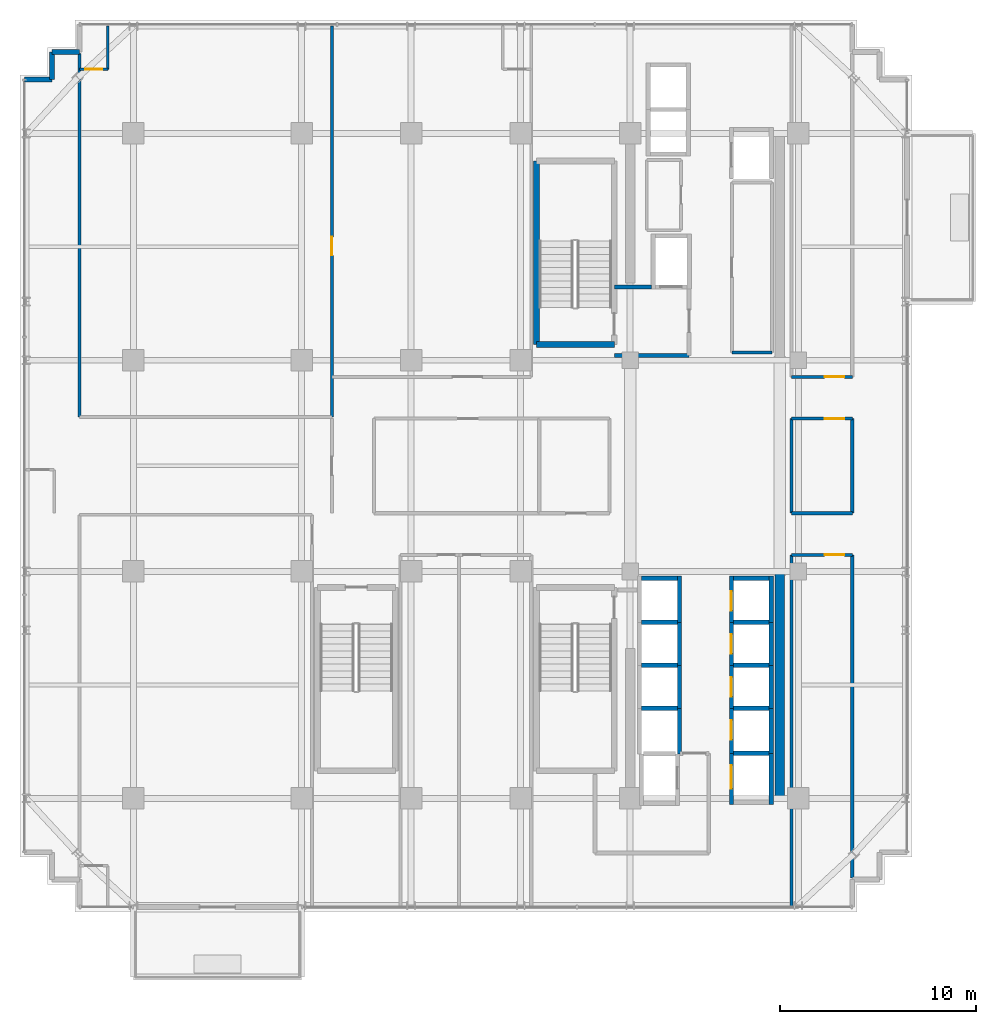
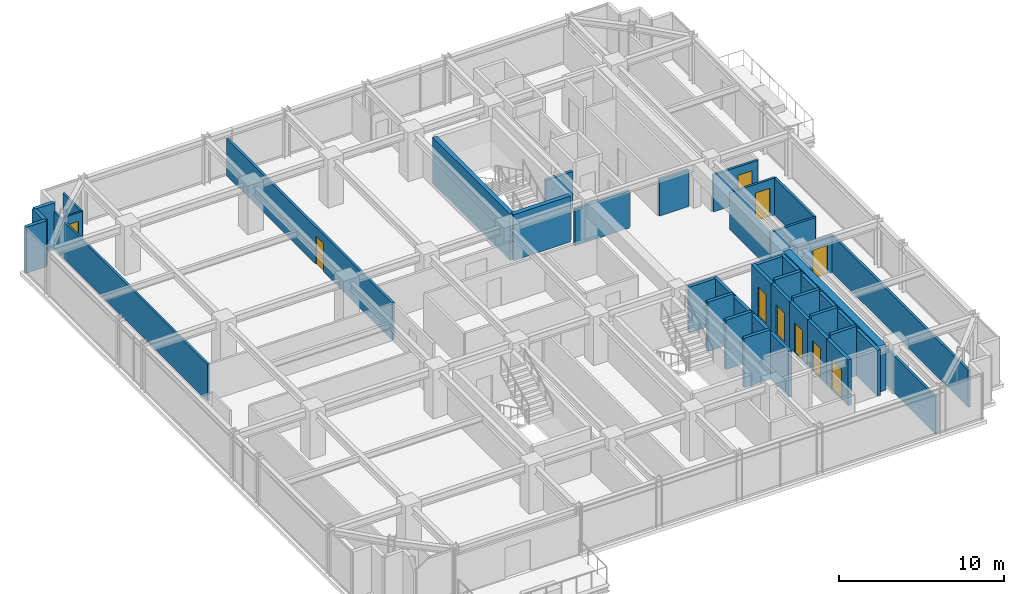
# One storey, part 26 of 31: 44 walls, 10 doors, 10 openings.
"""IFC4 building model written with IfcOpenShell, lengths in metres."""

from ifc_helpers import new_model, si_unit, direction, frame, frame_2d, origin, place, context, subcontext, project, spatial, rectangle, extrude, source, transform, mapped, material, layer, layer_set, type_object, element, fill, save


model = new_model("IFC4")

# Units and contexts
model_context = context("Model", 3, precision=1e-05, world=origin(), true_north=direction((0.0, 1.0)))
body_context = subcontext(model_context, "Body", "Model", "MODEL_VIEW")
ifc_project = project(units=[si_unit("LENGTHUNIT", "METRE"), si_unit("AREAUNIT", "SQUARE_METRE"), si_unit("VOLUMEUNIT", "CUBIC_METRE"), si_unit("PLANEANGLEUNIT", "RADIAN"), si_unit("MASSUNIT", "GRAM", prefix="KILO")], contexts=[model_context])

# Site, building, storey
site_placement = place(None, origin())
site = spatial("IfcSite", under=ifc_project, at=site_placement, CompositionType="ELEMENT")
building_placement = place(site_placement, origin())
building = spatial("IfcBuilding", under=site, at=building_placement, Name="Nahalor Promenade Grand Hotel", CompositionType="ELEMENT")
storey_placement = place(building_placement, frame((0.0, 0.0, 192.800048828125)))
storey = spatial("IfcBuildingStorey", under=building, at=storey_placement, Name="L49", CompositionType="ELEMENT", Elevation=192.800048828125)

# Walls
ifc_material_1 = material(Name="Concrete B-60 (C50/60)", Category="concrete")
ifc_layer_1 = layer(ifc_material_1, 0.5)
ifc_layer_set_1 = layer_set([ifc_layer_1], Name="Concrete B-60 (C50/60)")
wall_type_1 = type_object("IfcWallType", Name="Wall-CoreShear-500", PredefinedType="SHEAR", material=ifc_layer_set_1)
shared_shape_1 = source(origin(), body_context, "Body", "SweptSolid", [
    extrude(rectangle(XDim=11.60009765625, YDim=0.5, at=frame_2d((5.800048828125, 0.0))), origin(), (0.0, 0.0, 1.0), 3.389892578125),
])
wall_1_placement = place(storey_placement, frame((16.050048828125, -17.0, 0.0), z_axis=(0.0, 0.0, 1.0), x_axis=(0.0, 1.0, 0.0)))
element("IfcWall", 1, at=wall_1_placement, inside=storey, type_object=wall_type_1, Name="CWALL-L49-SE", PredefinedType="SHEAR", context=body_context, shape_type="MappedRepresentation", body=[
    mapped(shared_shape_1, transform((0.0, 0.0, 0.0), scale=1.0)),
])
ifc_material_2 = material(Name="Concrete B-50 (C40/50)", Category="concrete")
ifc_layer_2 = layer(ifc_material_2, 0.300048828125)
ifc_layer_set_2 = layer_set([ifc_layer_2], Name="Concrete B-50 (C40/50)")
wall_type_2 = type_object("IfcWallType", Name="Wall-ShaftShear-300", PredefinedType="SHEAR", material=ifc_layer_set_2)
shared_shape_2 = source(origin(), body_context, "Body", "SweptSolid", [
    extrude(rectangle(XDim=3.97998046875, YDim=0.300048828125, at=frame_2d((1.989990234375, 0.0))), origin(), (0.0, 0.0, 1.0), 3.389892578125),
])
wall_2_placement = place(storey_placement, frame((3.610107421875, 6.2099609375, 0.0), z_axis=(0.0, 0.0, 1.0), x_axis=(1.0, 0.0, 0.0)))
element("IfcWall", 2, at=wall_2_placement, inside=storey, type_object=wall_type_2, Name="L49 Exit Stair ST1 Shaft Wall S", PredefinedType="SHEAR", context=body_context, shape_type="MappedRepresentation", body=[
    mapped(shared_shape_2, transform((0.0, 0.0, 0.0), scale=1.0)),
])
shared_shape_3 = source(origin(), body_context, "Body", "SweptSolid", [
    extrude(rectangle(XDim=9.380126953125, YDim=0.300048828125, at=frame_2d((4.68994140625, 0.0))), origin(), (0.0, 0.0, 1.0), 3.389892578125),
])
wall_3_placement = place(storey_placement, frame((3.610107421875, 6.2099609375, 0.0), z_axis=(0.0, 0.0, 1.0), x_axis=(0.0, 1.0, 0.0)))
element("IfcWall", 3, at=wall_3_placement, inside=storey, type_object=wall_type_2, Name="L49 Exit Stair ST1 Shaft Wall W", PredefinedType="SHEAR", context=body_context, shape_type="MappedRepresentation", body=[
    mapped(shared_shape_3, transform((0.0, 0.0, 0.0), scale=1.0)),
])
ifc_layer_3 = layer(ifc_material_2, 0.219970703125)
ifc_layer_set_3 = layer_set([ifc_layer_3], Name="Concrete B-50 (C40/50)")
wall_type_3 = type_object("IfcWallType", Name="Wall-LiftShaft-220", PredefinedType="SHEAR", material=ifc_layer_set_3)
shared_shape_4 = source(origin(), body_context, "Body", "SweptSolid", [
    extrude(rectangle(XDim=1.820068359375, YDim=0.219970703125, at=frame_2d((0.91015625, 0.0))), origin(), (0.0, 0.0, 1.0), 3.64990234375),
])
for number, where, z_axis, x_axis, name in (
    (4, (13.68994140625, -8.0, 0.0), (0.0, 0.0, 1.0), (1.0, 0.0, 0.0), "L49 Lift PL6 Hoistway Wall N"),
    (5, (13.68994140625, -10.199951171875, 0.0), (0.0, 0.0, 1.0), (1.0, 0.0, 0.0), "L49 Lift PL7 Hoistway Wall N"),
    (6, (13.68994140625, -12.39990234375, 0.0), (0.0, 0.0, 1.0), (1.0, 0.0, 0.0), "L49 Lift PL8 Hoistway Wall N"),
    (7, (8.989990234375, -8.0, 0.0), (0.0, 0.0, 1.0), (1.0, 0.0, 0.0), "L49 Lift PL10 Hoistway Wall N"),
    (8, (8.989990234375, -10.199951171875, 0.0), (0.0, 0.0, 1.0), (1.0, 0.0, 0.0), "L49 Lift PL11 Hoistway Wall N"),
    (9, (8.989990234375, -12.39990234375, 0.0), (0.0, 0.0, 1.0), (1.0, 0.0, 0.0), "L49 Lift PL12 Hoistway Wall N"),
    (10, (13.68994140625, -14.699951171875, 0.0), (0.0, 0.0, 1.0), (1.0, 0.0, 0.0), "L49 Lift SV2 Hoistway Wall N"),
):
    element("IfcWall", number, at=place(storey_placement, frame(where, z_axis=z_axis, x_axis=x_axis)), inside=storey, type_object=wall_type_3, Name=name, PredefinedType="SHEAR", context=body_context, shape_type="MappedRepresentation", body=[
        mapped(shared_shape_4, transform((0.0, 0.0, 0.0), scale=1.0)),
    ])

# Wall, opening, door
shared_shape_5 = source(origin(), body_context, "Body", "SweptSolid", [
    extrude(rectangle(XDim=2.360107421875, YDim=0.219970703125, at=frame_2d((1.18017578125, 0.0))), origin(), (0.0, 0.0, 1.0), 3.389892578125),
])
wall_4_placement = place(storey_placement, frame((13.580078125, -8.0, 0.0), z_axis=(0.0, 0.0, 1.0), x_axis=(0.0, 1.0, 0.0)))
wall_4 = element("IfcWall", 11, at=wall_4_placement, inside=storey, type_object=wall_type_3, Name="L49 Lift PL5 Hoistway Wall W", PredefinedType="SHEAR", context=body_context, shape_type="MappedRepresentation", body=[
    mapped(shared_shape_5, transform((0.0, 0.0, 0.0), scale=1.0)),
])
opening_1_placement = place(wall_4_placement, frame((0.60009765625, 0.0, 0.0)))
opening_1 = element("IfcOpeningElement", 12, at=opening_1_placement, cuts=wall_4, Name="Opening LD-01", PredefinedType="OPENING", context=body_context, shape_type="SweptSolid", body=[
    extrude(rectangle(XDim=1.0, YDim=2.199951171875, at=frame_2d((0.5, 1.10009765625))), frame((0.0, 0.119873046875, 0.0), z_axis=(0.0, -1.0, 0.0), x_axis=(1.0, 0.0, 0.0)), (0.0, 0.0, 1.0), 0.239990234375),
])
ifc_material_3 = material(Name="Steel S355JR", Category="steel")
door_type_1 = type_object("IfcDoorType", Name="Door-LiftLanding-1000", OperationType="DOUBLE_DOOR_SLIDING", PredefinedType="DOOR", material=ifc_material_3)
shared_shape_6 = source(origin(), body_context, "Body", "SweptSolid", [
    extrude(rectangle(XDim=1.0, YDim=2.199951171875, at=frame_2d((0.5, 1.10009765625))), frame((0.0, 0.02490234375, 0.0), z_axis=(0.0, -1.0, 0.0), x_axis=(1.0, 0.0, 0.0)), (0.0, 0.0, 1.0), 0.050048828125),
])
door_1_placement = place(opening_1_placement, origin())
door_1 = element("IfcDoor", 13, at=door_1_placement, inside=storey, type_object=door_type_1, Name="DR-LIFT-PL5-L49", OperationType="DOUBLE_DOOR_SLIDING", OverallHeight=2.199951171875, OverallWidth=1.0, PredefinedType="DOOR", context=body_context, shape_type="MappedRepresentation", body=[
    mapped(shared_shape_6, transform((0.0, 0.0, 0.0), scale=1.0)),
])
fill(opening_1, door_1)

# Walls
for number, where, z_axis, x_axis, name in (
    (14, (15.6201171875, -8.0, 0.0), (0.0, 0.0, 1.0), (0.0, 1.0, 0.0), "L49 Lift PL5 Hoistway Wall E"),
    (15, (10.919921875, -8.0, 0.0), (0.0, 0.0, 1.0), (0.0, 1.0, 0.0), "L49 Lift PL9 Hoistway Wall E"),
):
    element("IfcWall", number, at=place(storey_placement, frame(where, z_axis=z_axis, x_axis=x_axis)), inside=storey, type_object=wall_type_3, Name=name, PredefinedType="SHEAR", context=body_context, shape_type="MappedRepresentation", body=[
        mapped(shared_shape_5, transform((0.0, 0.0, 0.0), scale=1.0)),
    ])
shared_shape_7 = source(origin(), body_context, "Body", "SweptSolid", [
    extrude(rectangle(XDim=1.820068359375, YDim=0.219970703125, at=frame_2d((0.91015625, 0.0))), origin(), (0.0, 0.0, 1.0), 3.389892578125),
])
for number, where, z_axis, x_axis, name in (
    (16, (13.68994140625, -5.75, 0.0), (0.0, 0.0, 1.0), (1.0, 0.0, 0.0), "L49 Lift PL5 Hoistway Wall N"),
    (17, (8.989990234375, -5.75, 0.0), (0.0, 0.0, 1.0), (1.0, 0.0, 0.0), "L49 Lift PL9 Hoistway Wall N"),
):
    element("IfcWall", number, at=place(storey_placement, frame(where, z_axis=z_axis, x_axis=x_axis)), inside=storey, type_object=wall_type_3, Name=name, PredefinedType="SHEAR", context=body_context, shape_type="MappedRepresentation", body=[
        mapped(shared_shape_7, transform((0.0, 0.0, 0.0), scale=1.0)),
    ])

# Wall, opening, door
shared_shape_8 = source(origin(), body_context, "Body", "SweptSolid", [
    extrude(rectangle(XDim=2.199951171875, YDim=0.219970703125, at=frame_2d((1.10009765625, 0.0))), origin(), (0.0, 0.0, 1.0), 3.389892578125),
])
wall_5_placement = place(storey_placement, frame((13.580078125, -10.199951171875, 0.0), z_axis=(0.0, 0.0, 1.0), x_axis=(0.0, 1.0, 0.0)))
wall_5 = element("IfcWall", 18, at=wall_5_placement, inside=storey, type_object=wall_type_3, Name="L49 Lift PL6 Hoistway Wall W", PredefinedType="SHEAR", context=body_context, shape_type="MappedRepresentation", body=[
    mapped(shared_shape_8, transform((0.0, 0.0, 0.0), scale=1.0)),
])
opening_2_placement = place(wall_5_placement, frame((0.60009765625, 0.0, 0.0)))
opening_2 = element("IfcOpeningElement", 19, at=opening_2_placement, cuts=wall_5, Name="Opening LD-01", PredefinedType="OPENING", context=body_context, shape_type="SweptSolid", body=[
    extrude(rectangle(XDim=1.0, YDim=2.199951171875, at=frame_2d((0.5, 1.10009765625))), frame((0.0, 0.119873046875, 0.0), z_axis=(0.0, -1.0, 0.0), x_axis=(1.0, 0.0, 0.0)), (0.0, 0.0, 1.0), 0.239990234375),
])
door_2_placement = place(opening_2_placement, origin())
door_2 = element("IfcDoor", 20, at=door_2_placement, inside=storey, type_object=door_type_1, Name="DR-LIFT-PL6-L49", OperationType="DOUBLE_DOOR_SLIDING", OverallHeight=2.199951171875, OverallWidth=1.0, PredefinedType="DOOR", context=body_context, shape_type="MappedRepresentation", body=[
    mapped(shared_shape_6, transform((0.0, 0.0, 0.0), scale=1.0)),
])
fill(opening_2, door_2)

# Wall
wall_6_placement = place(storey_placement, frame((15.6201171875, -10.199951171875, 0.0), z_axis=(0.0, 0.0, 1.0), x_axis=(0.0, 1.0, 0.0)))
element("IfcWall", 21, at=wall_6_placement, inside=storey, type_object=wall_type_3, Name="L49 Lift PL6 Hoistway Wall E", PredefinedType="SHEAR", context=body_context, shape_type="MappedRepresentation", body=[
    mapped(shared_shape_8, transform((0.0, 0.0, 0.0), scale=1.0)),
])

# Wall, opening, door
wall_7_placement = place(storey_placement, frame((13.580078125, -12.39990234375, 0.0), z_axis=(0.0, 0.0, 1.0), x_axis=(0.0, 1.0, 0.0)))
wall_7 = element("IfcWall", 22, at=wall_7_placement, inside=storey, type_object=wall_type_3, Name="L49 Lift PL7 Hoistway Wall W", PredefinedType="SHEAR", context=body_context, shape_type="MappedRepresentation", body=[
    mapped(shared_shape_8, transform((0.0, 0.0, 0.0), scale=1.0)),
])
opening_3_placement = place(wall_7_placement, frame((0.60009765625, 0.0, 0.0)))
opening_3 = element("IfcOpeningElement", 23, at=opening_3_placement, cuts=wall_7, Name="Opening LD-01", PredefinedType="OPENING", context=body_context, shape_type="SweptSolid", body=[
    extrude(rectangle(XDim=1.0, YDim=2.199951171875, at=frame_2d((0.5, 1.10009765625))), frame((0.0, 0.119873046875, 0.0), z_axis=(0.0, -1.0, 0.0), x_axis=(1.0, 0.0, 0.0)), (0.0, 0.0, 1.0), 0.239990234375),
])
door_3_placement = place(opening_3_placement, origin())
door_3 = element("IfcDoor", 24, at=door_3_placement, inside=storey, type_object=door_type_1, Name="DR-LIFT-PL7-L49", OperationType="DOUBLE_DOOR_SLIDING", OverallHeight=2.199951171875, OverallWidth=1.0, PredefinedType="DOOR", context=body_context, shape_type="MappedRepresentation", body=[
    mapped(shared_shape_6, transform((0.0, 0.0, 0.0), scale=1.0)),
])
fill(opening_3, door_3)

# Walls
for number, where, z_axis, x_axis, name in (
    (25, (15.6201171875, -12.39990234375, 0.0), (0.0, 0.0, 1.0), (0.0, 1.0, 0.0), "L49 Lift PL7 Hoistway Wall E"),
    (26, (10.919921875, -10.199951171875, 0.0), (0.0, 0.0, 1.0), (0.0, 1.0, 0.0), "L49 Lift PL10 Hoistway Wall E"),
    (27, (10.919921875, -12.39990234375, 0.0), (0.0, 0.0, 1.0), (0.0, 1.0, 0.0), "L49 Lift PL11 Hoistway Wall E"),
):
    element("IfcWall", number, at=place(storey_placement, frame(where, z_axis=z_axis, x_axis=x_axis)), inside=storey, type_object=wall_type_3, Name=name, PredefinedType="SHEAR", context=body_context, shape_type="MappedRepresentation", body=[
        mapped(shared_shape_8, transform((0.0, 0.0, 0.0), scale=1.0)),
    ])

# Wall, opening, door
shared_shape_9 = source(origin(), body_context, "Body", "SweptSolid", [
    extrude(rectangle(XDim=2.300048828125, YDim=0.219970703125, at=frame_2d((1.14990234375, 0.0))), origin(), (0.0, 0.0, 1.0), 3.389892578125),
])
wall_8_placement = place(storey_placement, frame((13.580078125, -14.699951171875, 0.0), z_axis=(0.0, 0.0, 1.0), x_axis=(0.0, 1.0, 0.0)))
wall_8 = element("IfcWall", 28, at=wall_8_placement, inside=storey, type_object=wall_type_3, Name="L49 Lift PL8 Hoistway Wall W", PredefinedType="SHEAR", context=body_context, shape_type="MappedRepresentation", body=[
    mapped(shared_shape_9, transform((0.0, 0.0, 0.0), scale=1.0)),
])
opening_4_placement = place(wall_8_placement, frame((0.699951171875, 0.0, 0.0)))
opening_4 = element("IfcOpeningElement", 29, at=opening_4_placement, cuts=wall_8, Name="Opening LD-01", PredefinedType="OPENING", context=body_context, shape_type="SweptSolid", body=[
    extrude(rectangle(XDim=1.0, YDim=2.199951171875, at=frame_2d((0.5, 1.10009765625))), frame((0.0, 0.119873046875, 0.0), z_axis=(0.0, -1.0, 0.0), x_axis=(1.0, 0.0, 0.0)), (0.0, 0.0, 1.0), 0.239990234375),
])
door_4_placement = place(opening_4_placement, origin())
door_4 = element("IfcDoor", 30, at=door_4_placement, inside=storey, type_object=door_type_1, Name="DR-LIFT-PL8-L49", OperationType="DOUBLE_DOOR_SLIDING", OverallHeight=2.199951171875, OverallWidth=1.0, PredefinedType="DOOR", context=body_context, shape_type="MappedRepresentation", body=[
    mapped(shared_shape_6, transform((0.0, 0.0, 0.0), scale=1.0)),
])
fill(opening_4, door_4)

# Walls
wall_9_placement = place(storey_placement, frame((15.6201171875, -14.699951171875, 0.0), z_axis=(0.0, 0.0, 1.0), x_axis=(0.0, 1.0, 0.0)))
element("IfcWall", 31, at=wall_9_placement, inside=storey, type_object=wall_type_3, Name="L49 Lift PL8 Hoistway Wall E", PredefinedType="SHEAR", context=body_context, shape_type="MappedRepresentation", body=[
    mapped(shared_shape_9, transform((0.0, 0.0, 0.0), scale=1.0)),
])
shared_shape_10 = source(origin(), body_context, "Body", "SweptSolid", [
    extrude(rectangle(XDim=2.3251953125, YDim=0.219970703125, at=frame_2d((1.16259765625, 0.0))), origin(), (0.0, 0.0, 1.0), 3.389892578125),
])
wall_10_placement = place(storey_placement, frame((10.919921875, -14.72509765625, 0.0), z_axis=(0.0, 0.0, 1.0), x_axis=(0.0, 1.0, 0.0)))
element("IfcWall", 32, at=wall_10_placement, inside=storey, type_object=wall_type_3, Name="L49 Lift PL12 Hoistway Wall E", PredefinedType="SHEAR", context=body_context, shape_type="MappedRepresentation", body=[
    mapped(shared_shape_10, transform((0.0, 0.0, 0.0), scale=1.0)),
])

# Wall, opening, door
shared_shape_11 = source(origin(), body_context, "Body", "SweptSolid", [
    extrude(rectangle(XDim=2.610107421875, YDim=0.219970703125, at=frame_2d((1.30517578125, 0.0))), origin(), (0.0, 0.0, 1.0), 3.389892578125),
])
wall_11_placement = place(storey_placement, frame((13.580078125, -17.31005859375, 0.0), z_axis=(0.0, 0.0, 1.0), x_axis=(0.0, 1.0, 0.0)))
wall_11 = element("IfcWall", 33, at=wall_11_placement, inside=storey, type_object=wall_type_3, Name="L49 Lift SV2 Hoistway Wall W", PredefinedType="SHEAR", context=body_context, shape_type="MappedRepresentation", body=[
    mapped(shared_shape_11, transform((0.0, 0.0, 0.0), scale=1.0)),
])
opening_5_placement = place(wall_11_placement, frame((0.81005859375, 0.0, 0.0)))
opening_5 = element("IfcOpeningElement", 34, at=opening_5_placement, cuts=wall_11, Name="Opening LD-03", PredefinedType="OPENING", context=body_context, shape_type="SweptSolid", body=[
    extrude(rectangle(XDim=1.199951171875, YDim=2.199951171875, at=frame_2d((0.60009765625, 1.10009765625))), frame((0.0, 0.119873046875, 0.0), z_axis=(0.0, -1.0, 0.0), x_axis=(1.0, 0.0, 0.0)), (0.0, 0.0, 1.0), 0.239990234375),
])
door_type_2 = type_object("IfcDoorType", Name="Door-LiftService-1200", OperationType="DOUBLE_DOOR_SLIDING", PredefinedType="DOOR", material=ifc_material_3)
shared_shape_12 = source(origin(), body_context, "Body", "SweptSolid", [
    extrude(rectangle(XDim=1.199951171875, YDim=2.199951171875, at=frame_2d((0.60009765625, 1.10009765625))), frame((0.0, 0.02490234375, 0.0), z_axis=(0.0, -1.0, 0.0), x_axis=(1.0, 0.0, 0.0)), (0.0, 0.0, 1.0), 0.050048828125),
])
door_5_placement = place(opening_5_placement, origin())
door_5 = element("IfcDoor", 35, at=door_5_placement, inside=storey, type_object=door_type_2, Name="DR-LIFT-SV2-L49", OperationType="DOUBLE_DOOR_SLIDING", OverallHeight=2.199951171875, OverallWidth=1.199951171875, PredefinedType="DOOR", context=body_context, shape_type="MappedRepresentation", body=[
    mapped(shared_shape_12, transform((0.0, 0.0, 0.0), scale=1.0)),
])
fill(opening_5, door_5)

# Walls
wall_12_placement = place(storey_placement, frame((15.6201171875, -17.31005859375, 0.0), z_axis=(0.0, 0.0, 1.0), x_axis=(0.0, 1.0, 0.0)))
element("IfcWall", 36, at=wall_12_placement, inside=storey, type_object=wall_type_3, Name="L49 Lift SV2 Hoistway Wall E", PredefinedType="SHEAR", context=body_context, shape_type="MappedRepresentation", body=[
    mapped(shared_shape_11, transform((0.0, 0.0, 0.0), scale=1.0)),
])
ifc_material_4 = material(Name="Concrete B-40 (C32/40)", Category="concrete")
ifc_layer_4 = layer(ifc_material_4, 0.25)
ifc_layer_set_4 = layer_set([ifc_layer_4], Name="Concrete B-40 (C32/40)")
wall_type_4 = type_object("IfcWallType", Name="Wall-BronzePier-250", PredefinedType="STANDARD", material=ifc_layer_set_4)
shared_shape_13 = source(origin(), body_context, "Body", "SweptSolid", [
    extrude(rectangle(XDim=1.400146484375, YDim=0.25, at=frame_2d((0.7001953125, 0.0))), origin(), (0.0, 0.0, 1.0), 3.389892578125),
])
wall_13_placement = place(storey_placement, frame((-22.56005859375, 19.760009765625, 0.0), z_axis=(0.0, 0.0, 1.0), x_axis=(1.0, 0.0, 0.0)))
element("IfcWall", 37, at=wall_13_placement, inside=storey, type_object=wall_type_4, Name="W-L49-SR-12", PredefinedType="STANDARD", context=body_context, shape_type="MappedRepresentation", body=[
    mapped(shared_shape_13, transform((0.0, 0.0, 0.0), scale=1.0)),
])
shared_shape_14 = source(origin(), body_context, "Body", "SweptSolid", [
    extrude(rectangle(XDim=1.39990234375, YDim=0.25, at=frame_2d((0.699951171875, 0.0))), origin(), (0.0, 0.0, 1.0), 3.389892578125),
])
for number, where, z_axis, x_axis, name in (
    (38, (-21.159912109375, 21.159912109375, 0.0), (0.0, 0.0, 1.0), (1.0, 0.0, 0.0), "W-L49-SR-10"),
    (39, (-21.159912109375, 19.760009765625, 0.0), (0.0, 0.0, 1.0), (0.0, 1.0, 0.0), "W-L49-SR-11"),
):
    element("IfcWall", number, at=place(storey_placement, frame(where, z_axis=z_axis, x_axis=x_axis)), inside=storey, type_object=wall_type_4, Name=name, PredefinedType="STANDARD", context=body_context, shape_type="MappedRepresentation", body=[
        mapped(shared_shape_14, transform((0.0, 0.0, 0.0), scale=1.0)),
    ])
ifc_layer_5 = layer(ifc_material_4, 0.199951171875)
ifc_layer_set_5 = layer_set([ifc_layer_5], Name="Concrete B-40 (C32/40)")
wall_type_5 = type_object("IfcWallType", Name="Wall-PartFire-200", PredefinedType="PARTITIONING", material=ifc_layer_set_5)
shared_shape_15 = source(origin(), body_context, "Body", "SweptSolid", [
    extrude(rectangle(XDim=3.81982421875, YDim=0.199951171875, at=frame_2d((1.909912109375, 0.0))), origin(), (0.0, 0.0, 1.0), 2.72998046875),
])
wall_14_placement = place(storey_placement, frame((7.60009765625, 5.64990234375, 0.0), z_axis=(0.0, 0.0, 1.0), x_axis=(1.0, 0.0, 0.0)))
element("IfcWall", 40, at=wall_14_placement, inside=storey, type_object=wall_type_5, Name="W-L49-FF1-S", PredefinedType="PARTITIONING", context=body_context, shape_type="MappedRepresentation", body=[
    mapped(shared_shape_15, transform((0.0, 0.0, 0.0), scale=1.0)),
])
shared_shape_16 = source(origin(), body_context, "Body", "SweptSolid", [
    extrude(rectangle(XDim=1.89990234375, YDim=0.199951171875, at=frame_2d((0.949951171875, 0.0))), origin(), (0.0, 0.0, 1.0), 2.72998046875),
])
wall_15_placement = place(storey_placement, frame((7.60009765625, 9.14990234375, 0.0), z_axis=(0.0, 0.0, 1.0), x_axis=(1.0, 0.0, 0.0)))
element("IfcWall", 41, at=wall_15_placement, inside=storey, type_object=wall_type_5, Name="W-L49-FF1-N", PredefinedType="PARTITIONING", context=body_context, shape_type="MappedRepresentation", body=[
    mapped(shared_shape_16, transform((0.0, 0.0, 0.0), scale=1.0)),
])
ifc_material_5 = material(Name="Acoustic Mineral Gypsum", Category="gypsum")
ifc_layer_6 = layer(ifc_material_5, 0.159912109375)
ifc_layer_set_6 = layer_set([ifc_layer_6], Name="Acoustic Mineral Gypsum")
wall_type_6 = type_object("IfcWallType", Name="Wall-PartCorridor-160", PredefinedType="PARTITIONING", material=ifc_layer_set_6)
shared_shape_17 = source(origin(), body_context, "Body", "SweptSolid", [
    extrude(rectangle(XDim=2.0498046875, YDim=0.159912109375, at=frame_2d((1.02490234375, 0.0))), origin(), (0.0, 0.0, 1.0), 2.72998046875),
])
wall_16_placement = place(storey_placement, frame((13.60009765625, 5.800048828125, 0.0), z_axis=(0.0, 0.0, 1.0), x_axis=(1.0, 0.0, 0.0)))
element("IfcWall", 42, at=wall_16_placement, inside=storey, type_object=wall_type_6, Name="W-L49-FRB1-S", PredefinedType="PARTITIONING", context=body_context, shape_type="MappedRepresentation", body=[
    mapped(shared_shape_17, transform((0.0, 0.0, 0.0), scale=1.0)),
])

# Wall, opening, door
shared_shape_18 = source(origin(), body_context, "Body", "SweptSolid", [
    extrude(rectangle(XDim=3.110107421875, YDim=0.159912109375, at=frame_2d((1.55517578125, 0.0))), origin(), (0.0, 0.0, 1.0), 2.72998046875),
])
wall_17_placement = place(storey_placement, frame((16.64990234375, 4.550048828125, 0.0), z_axis=(0.0, 0.0, 1.0), x_axis=(1.0, 0.0, 0.0)))
wall_17 = element("IfcWall", 43, at=wall_17_placement, inside=storey, type_object=wall_type_6, Name="W-L49-ENE-S", PredefinedType="PARTITIONING", context=body_context, shape_type="MappedRepresentation", body=[
    mapped(shared_shape_18, transform((0.0, 0.0, 0.0), scale=1.0)),
])
opening_6_placement = place(wall_17_placement, frame((1.700927734375, 0.0, 0.0)))
opening_6 = element("IfcOpeningElement", 44, at=opening_6_placement, cuts=wall_17, Name="Opening D-04", PredefinedType="OPENING", context=body_context, shape_type="SweptSolid", body=[
    extrude(rectangle(XDim=1.0, YDim=2.10009765625, at=frame_2d((0.5, 1.050048828125))), frame((0.0, 0.08984375, 0.0), z_axis=(0.0, -1.0, 0.0), x_axis=(1.0, 0.0, 0.0)), (0.0, 0.0, 1.0), 0.179931640625),
])
door_type_3 = type_object("IfcDoorType", Name="Door-ServiceFire-1000", OperationType="NOTDEFINED", PredefinedType="DOOR", material=ifc_material_3)
shared_shape_19 = source(origin(), body_context, "Body", "SweptSolid", [
    extrude(rectangle(XDim=1.0, YDim=2.10009765625, at=frame_2d((0.5, 1.050048828125))), frame((0.0, 0.02490234375, 0.0), z_axis=(0.0, -1.0, 0.0), x_axis=(1.0, 0.0, 0.0)), (0.0, 0.0, 1.0), 0.050048828125),
])
door_6_placement = place(opening_6_placement, origin())
door_6 = element("IfcDoor", 45, at=door_6_placement, inside=storey, type_object=door_type_3, Name="DR-L49-ENE", OperationType="SINGLE_SWING_RIGHT", OverallHeight=2.10009765625, OverallWidth=1.0, PredefinedType="DOOR", context=body_context, shape_type="MappedRepresentation", body=[
    mapped(shared_shape_19, transform((0.0, 0.0, 0.0), scale=1.0)),
])
fill(opening_6, door_6)

wall_18_placement = place(storey_placement, frame((16.64990234375, -4.550048828125, 0.0), z_axis=(0.0, 0.0, 1.0), x_axis=(1.0, 0.0, 0.0)))
wall_18 = element("IfcWall", 46, at=wall_18_placement, inside=storey, type_object=wall_type_6, Name="W-L49-ESE-N", PredefinedType="PARTITIONING", context=body_context, shape_type="MappedRepresentation", body=[
    mapped(shared_shape_18, transform((0.0, 0.0, 0.0), scale=1.0)),
])
opening_7_placement = place(wall_18_placement, frame((1.700927734375, 0.0, 0.0)))
opening_7 = element("IfcOpeningElement", 47, at=opening_7_placement, cuts=wall_18, Name="Opening D-04", PredefinedType="OPENING", context=body_context, shape_type="SweptSolid", body=[
    extrude(rectangle(XDim=1.0, YDim=2.10009765625, at=frame_2d((0.5, 1.050048828125))), frame((0.0, 0.08984375, 0.0), z_axis=(0.0, -1.0, 0.0), x_axis=(1.0, 0.0, 0.0)), (0.0, 0.0, 1.0), 0.179931640625),
])
door_7_placement = place(opening_7_placement, frame((1.0, 0.0, 0.0), z_axis=(0.0, 0.0, 1.0), x_axis=(-1.0, 0.0, 0.0)))
door_7 = element("IfcDoor", 48, at=door_7_placement, inside=storey, type_object=door_type_3, Name="DR-L49-ESE", OperationType="SINGLE_SWING_LEFT", OverallHeight=2.10009765625, OverallWidth=1.0, PredefinedType="DOOR", context=body_context, shape_type="MappedRepresentation", body=[
    mapped(shared_shape_19, transform((0.0, 0.0, 0.0), scale=1.0)),
])
fill(opening_7, door_7)

# Wall
wall_19_placement = place(storey_placement, frame((16.64990234375, -2.419921875, 0.0), z_axis=(0.0, 0.0, 1.0), x_axis=(1.0, 0.0, 0.0)))
element("IfcWall", 49, at=wall_19_placement, inside=storey, type_object=wall_type_6, Name="W-L49-ECW-S", PredefinedType="PARTITIONING", context=body_context, shape_type="MappedRepresentation", body=[
    mapped(shared_shape_18, transform((0.0, 0.0, 0.0), scale=1.0)),
])

# Wall, opening, door
wall_20_placement = place(storey_placement, frame((16.64990234375, 2.419921875, 0.0), z_axis=(0.0, 0.0, 1.0), x_axis=(1.0, 0.0, 0.0)))
wall_20 = element("IfcWall", 50, at=wall_20_placement, inside=storey, type_object=wall_type_6, Name="W-L49-ECW-N", PredefinedType="PARTITIONING", context=body_context, shape_type="MappedRepresentation", body=[
    mapped(shared_shape_18, transform((0.0, 0.0, 0.0), scale=1.0)),
])
opening_8_placement = place(wall_20_placement, frame((1.700927734375, 0.0, 0.0)))
opening_8 = element("IfcOpeningElement", 51, at=opening_8_placement, cuts=wall_20, Name="Opening D-04", PredefinedType="OPENING", context=body_context, shape_type="SweptSolid", body=[
    extrude(rectangle(XDim=1.0, YDim=2.10009765625, at=frame_2d((0.5, 1.050048828125))), frame((0.0, 0.08984375, 0.0), z_axis=(0.0, -1.0, 0.0), x_axis=(1.0, 0.0, 0.0)), (0.0, 0.0, 1.0), 0.179931640625),
])
door_8_placement = place(opening_8_placement, frame((1.0, 0.0, 0.0), z_axis=(0.0, 0.0, 1.0), x_axis=(-1.0, 0.0, 0.0)))
door_8 = element("IfcDoor", 52, at=door_8_placement, inside=storey, type_object=door_type_3, Name="DR-L49-ECW", OperationType="SINGLE_SWING_LEFT", OverallHeight=2.10009765625, OverallWidth=1.0, PredefinedType="DOOR", context=body_context, shape_type="MappedRepresentation", body=[
    mapped(shared_shape_19, transform((0.0, 0.0, 0.0), scale=1.0)),
])
fill(opening_8, door_8)

# Walls
shared_shape_20 = source(origin(), body_context, "Body", "SweptSolid", [
    extrude(rectangle(XDim=17.949951171875, YDim=0.159912109375, at=frame_2d((8.97509765625, 0.0))), origin(), (0.0, 0.0, 1.0), 2.72998046875),
])
wall_21_placement = place(storey_placement, frame((16.64990234375, -22.5, 0.0), z_axis=(0.0, 0.0, 1.0), x_axis=(0.0, 1.0, 0.0)))
element("IfcWall", 53, at=wall_21_placement, inside=storey, type_object=wall_type_6, Name="W-L49-ESE-W", PredefinedType="PARTITIONING", context=body_context, shape_type="MappedRepresentation", body=[
    mapped(shared_shape_20, transform((0.0, 0.0, 0.0), scale=1.0)),
])
shared_shape_21 = source(origin(), body_context, "Body", "SweptSolid", [
    extrude(rectangle(XDim=16.530029296875, YDim=0.159912109375, at=frame_2d((8.26513671875, 0.0))), origin(), (0.0, 0.0, 1.0), 2.72998046875),
])
wall_22_placement = place(storey_placement, frame((19.760009765625, -21.080078125, 0.0), z_axis=(0.0, 0.0, 1.0), x_axis=(0.0, 1.0, 0.0)))
element("IfcWall", 54, at=wall_22_placement, inside=storey, type_object=wall_type_6, Name="W-L49-ESE-E", PredefinedType="PARTITIONING", context=body_context, shape_type="MappedRepresentation", body=[
    mapped(shared_shape_21, transform((0.0, 0.0, 0.0), scale=1.0)),
])

# Wall, opening, door
shared_shape_22 = source(origin(), body_context, "Body", "SweptSolid", [
    extrude(rectangle(XDim=20.0, YDim=0.159912109375, at=frame_2d((10.0, 0.0))), origin(), (0.0, 0.0, 1.0), 2.72998046875),
])
wall_23_placement = place(storey_placement, frame((-6.85009765625, 2.5, 0.0), z_axis=(0.0, 0.0, 1.0), x_axis=(0.0, 1.0, 0.0)))
wall_23 = element("IfcWall", 55, at=wall_23_placement, inside=storey, type_object=wall_type_6, Name="W-L49-ZNW-E", PredefinedType="PARTITIONING", context=body_context, shape_type="MappedRepresentation", body=[
    mapped(shared_shape_22, transform((0.0, 0.0, 0.0), scale=1.0)),
])
opening_9_placement = place(wall_23_placement, frame((8.264892578125, 0.0, 0.0)))
opening_9 = element("IfcOpeningElement", 56, at=opening_9_placement, cuts=wall_23, Name="Opening D-01", PredefinedType="OPENING", context=body_context, shape_type="SweptSolid", body=[
    extrude(rectangle(XDim=0.949951171875, YDim=2.10009765625, at=frame_2d((0.47509765625, 1.050048828125))), frame((0.0, 0.08984375, 0.0), z_axis=(0.0, -1.0, 0.0), x_axis=(1.0, 0.0, 0.0)), (0.0, 0.0, 1.0), 0.179931640625),
])
ifc_material_6 = material(Name="Fire-Rated Timber Composite", Category="wood")
door_type_4 = type_object("IfcDoorType", Name="Door-GuestEntry-950", OperationType="NOTDEFINED", PredefinedType="DOOR", material=ifc_material_6)
shared_shape_23 = source(origin(), body_context, "Body", "SweptSolid", [
    extrude(rectangle(XDim=0.949951171875, YDim=2.10009765625, at=frame_2d((0.47509765625, 1.050048828125))), frame((0.0, 0.02490234375, 0.0), z_axis=(0.0, -1.0, 0.0), x_axis=(1.0, 0.0, 0.0)), (0.0, 0.0, 1.0), 0.050048828125),
])
door_9_placement = place(opening_9_placement, origin())
door_9 = element("IfcDoor", 57, at=door_9_placement, inside=storey, type_object=door_type_4, Name="DR-L49-NW0-ENT", OperationType="SINGLE_SWING_LEFT", OverallHeight=2.10009765625, OverallWidth=0.949951171875, PredefinedType="DOOR", context=body_context, shape_type="MappedRepresentation", body=[
    mapped(shared_shape_23, transform((0.0, 0.0, 0.0), scale=1.0)),
])
fill(opening_9, door_9)

# Wall
ifc_layer_7 = layer(ifc_material_5, 0.139892578125)
ifc_layer_set_7 = layer_set([ifc_layer_7], Name="Acoustic Mineral Gypsum")
wall_type_7 = type_object("IfcWallType", Name="Wall-PartSuite-140", PredefinedType="PARTITIONING", material=ifc_layer_set_7)
shared_shape_24 = source(origin(), body_context, "Body", "SweptSolid", [
    extrude(rectangle(XDim=18.580078125, YDim=0.139892578125, at=frame_2d((9.2900390625, 0.0))), origin(), (0.0, 0.0, 1.0), 2.72998046875),
])
wall_24_placement = place(storey_placement, frame((-19.760009765625, 2.5, 0.0), z_axis=(0.0, 0.0, 1.0), x_axis=(0.0, 1.0, 0.0)))
element("IfcWall", 58, at=wall_24_placement, inside=storey, type_object=wall_type_7, Name="W-L49-ZNW-W", PredefinedType="PARTITIONING", context=body_context, shape_type="MappedRepresentation", body=[
    mapped(shared_shape_24, transform((0.0, 0.0, 0.0), scale=1.0)),
])

# Wall, opening, door
ifc_layer_8 = layer(ifc_material_5, 0.1201171875)
ifc_layer_set_8 = layer_set([ifc_layer_8], Name="Acoustic Mineral Gypsum")
wall_type_8 = type_object("IfcWallType", Name="Wall-PartBath-120", PredefinedType="PARTITIONING", material=ifc_layer_set_8)
shared_shape_25 = source(origin(), body_context, "Body", "SweptSolid", [
    extrude(rectangle(XDim=1.449951171875, YDim=0.1201171875, at=frame_2d((0.72509765625, 0.0))), origin(), (0.0, 0.0, 1.0), 2.72998046875),
])
wall_25_placement = place(storey_placement, frame((-19.760009765625, 20.280029296875, 0.0), z_axis=(0.0, 0.0, 1.0), x_axis=(1.0, 0.0, 0.0)))
wall_25 = element("IfcWall", 59, at=wall_25_placement, inside=storey, type_object=wall_type_8, Name="W-L49-NW0-BH", PredefinedType="PARTITIONING", context=body_context, shape_type="MappedRepresentation", body=[
    mapped(shared_shape_25, transform((0.0, 0.0, 0.0), scale=1.0)),
])
opening_10_placement = place(wall_25_placement, frame((0.284912109375, 0.0, 0.0)))
opening_10 = element("IfcOpeningElement", 60, at=opening_10_placement, cuts=wall_25, Name="Opening D-03", PredefinedType="OPENING", context=body_context, shape_type="SweptSolid", body=[
    extrude(rectangle(XDim=0.8798828125, YDim=2.10009765625, at=frame_2d((0.43994140625, 1.050048828125))), frame((0.0, 0.070068359375, 0.0), z_axis=(0.0, -1.0, 0.0), x_axis=(1.0, 0.0, 0.0)), (0.0, 0.0, 1.0), 0.14013671875),
])
door_type_5 = type_object("IfcDoorType", Name="Door-BathSwing-880", OperationType="NOTDEFINED", PredefinedType="DOOR", material=ifc_material_6)
shared_shape_26 = source(origin(), body_context, "Body", "SweptSolid", [
    extrude(rectangle(XDim=0.8798828125, YDim=2.10009765625, at=frame_2d((0.43994140625, 1.050048828125))), frame((0.0, 0.02490234375, 0.0), z_axis=(0.0, -1.0, 0.0), x_axis=(1.0, 0.0, 0.0)), (0.0, 0.0, 1.0), 0.050048828125),
])
door_10_placement = place(opening_10_placement, origin())
door_10 = element("IfcDoor", 61, at=door_10_placement, inside=storey, type_object=door_type_5, Name="DR-L49-NW0-BATH", OperationType="SINGLE_SWING_RIGHT", OverallHeight=2.10009765625, OverallWidth=0.8798828125, PredefinedType="DOOR", context=body_context, shape_type="MappedRepresentation", body=[
    mapped(shared_shape_26, transform((0.0, 0.0, 0.0), scale=1.0)),
])
fill(opening_10, door_10)

# Walls
shared_shape_27 = source(origin(), body_context, "Body", "SweptSolid", [
    extrude(rectangle(XDim=2.219970703125, YDim=0.1201171875, at=frame_2d((1.10986328125, 0.0))), origin(), (0.0, 0.0, 1.0), 2.72998046875),
])
wall_26_placement = place(storey_placement, frame((-18.31005859375, 20.280029296875, 0.0), z_axis=(0.0, 0.0, 1.0), x_axis=(0.0, 1.0, 0.0)))
element("IfcWall", 62, at=wall_26_placement, inside=storey, type_object=wall_type_8, Name="W-L49-NW0-BV", PredefinedType="PARTITIONING", context=body_context, shape_type="MappedRepresentation", body=[
    mapped(shared_shape_27, transform((0.0, 0.0, 0.0), scale=1.0)),
])
shared_shape_28 = source(origin(), body_context, "Body", "SweptSolid", [
    extrude(rectangle(XDim=4.83984375, YDim=0.159912109375, at=frame_2d((2.419921875, 0.0))), origin(), (0.0, 0.0, 1.0), 2.72998046875),
])
for number, where, z_axis, x_axis, name in (
    (63, (16.64990234375, -2.419921875, 0.0), (0.0, 0.0, 1.0), (0.0, 1.0, 0.0), "W-L49-ECW-W"),
    (64, (19.760009765625, -2.419921875, 0.0), (0.0, 0.0, 1.0), (0.0, 1.0, 0.0), "W-L49-ECW-E"),
):
    element("IfcWall", number, at=place(storey_placement, frame(where, z_axis=z_axis, x_axis=x_axis)), inside=storey, type_object=wall_type_6, Name=name, PredefinedType="PARTITIONING", context=body_context, shape_type="MappedRepresentation", body=[
        mapped(shared_shape_28, transform((0.0, 0.0, 0.0), scale=1.0)),
    ])

save(model, "model.ifc")
